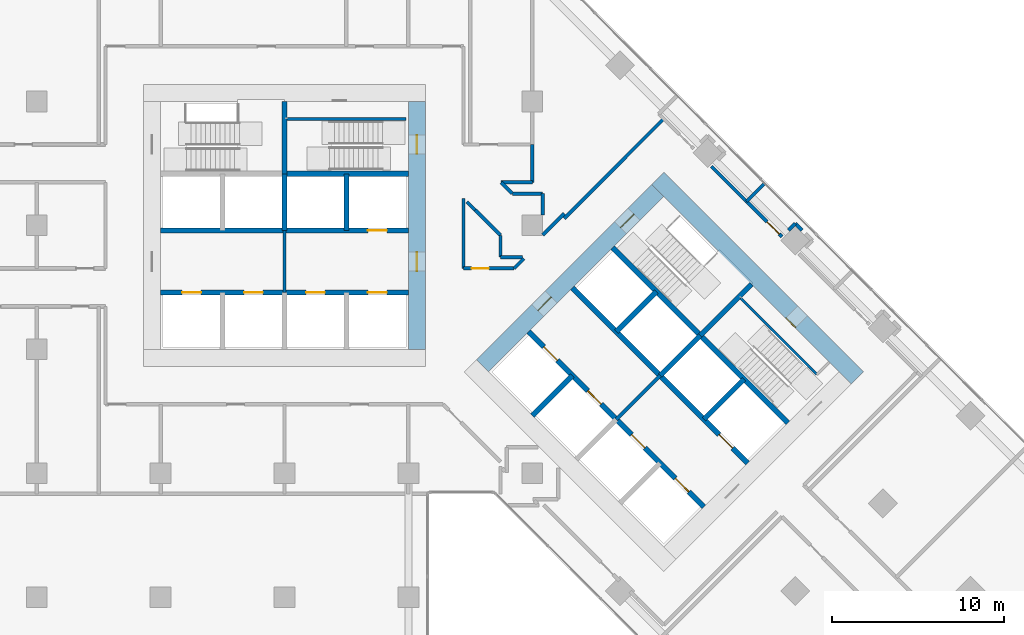
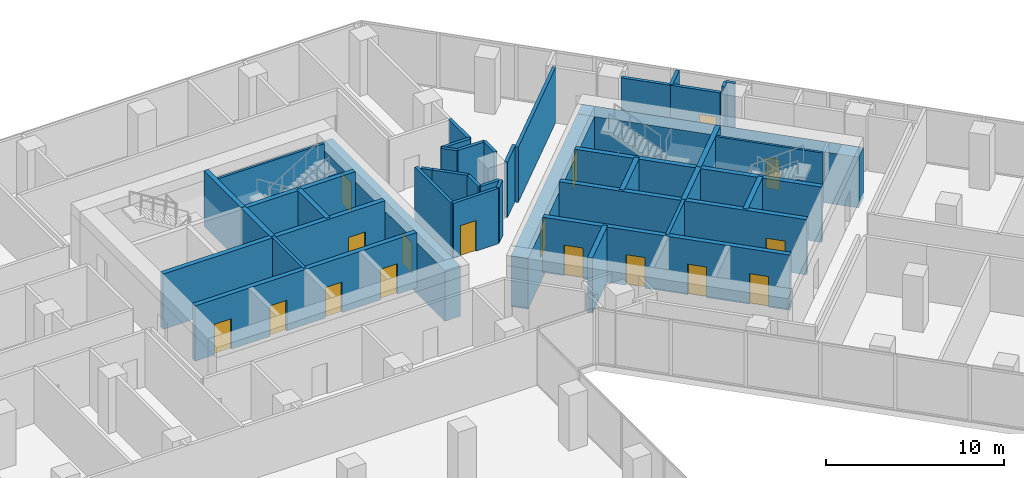
# One storey, part 22 of 27: 41 walls, 17 doors, 17 openings.
"""IFC4 building model written with IfcOpenShell, lengths in metres."""

from ifc_helpers import new_model, si_unit, direction, frame, frame_2d, origin, place, context, subcontext, project, spatial, rectangle, extrude, material, layer, layer_set, type_object, element, fill, save


model = new_model("IFC4")

# Units and contexts
model_context = context("Model", 3, precision=1e-05, world=origin(), true_north=direction((0.0, 1.0)))
body_context = subcontext(model_context, "Body", "Model", "MODEL_VIEW")
ifc_project = project(units=[si_unit("LENGTHUNIT", "METRE"), si_unit("AREAUNIT", "SQUARE_METRE"), si_unit("VOLUMEUNIT", "CUBIC_METRE"), si_unit("PLANEANGLEUNIT", "RADIAN"), si_unit("MASSUNIT", "GRAM", prefix="KILO")], contexts=[model_context])

# Site, building, storey
site_placement = place(None, origin())
site = spatial("IfcSite", under=ifc_project, at=site_placement, CompositionType="ELEMENT")
building_placement = place(site_placement, origin())
building = spatial("IfcBuilding", under=site, at=building_placement, Name="Windrow Commons", CompositionType="ELEMENT")
storey_placement = place(building_placement, frame((0.0, 0.0, 6.0)))
storey = spatial("IfcBuildingStorey", under=building, at=storey_placement, Name="L01", CompositionType="ELEMENT", Elevation=6.0)

# Walls
ifc_material_1 = material(Name="Blockwork partition", Category="masonry")
ifc_layer_1 = layer(ifc_material_1, 0.2)
ifc_layer_set_1 = layer_set([ifc_layer_1], Name="Fire lobby partition 200")
wall_type_1 = type_object("IfcWallType", Name="Fire lobby partition 200", PredefinedType="PARTITIONING", material=ifc_layer_set_1)
for number, where, z_axis, x_axis, name in (
    (1, (64.8, 53.7, 0.0), (0.0, 0.0, 1.0), (0.0, 1.0, 0.0), "W-core-lobby-A-L01"),
    (2, (84.079, 46.332, 0.0), (0.0, 0.0, 1.0), (0.7071067812, 0.7071067812, 0.0), "W-core-lobby-B-L01"),
):
    element("IfcWall", number, at=place(storey_placement, frame(where, z_axis=z_axis, x_axis=x_axis)), inside=storey, type_object=wall_type_1, Name=name, PredefinedType="PARTITIONING", context=body_context, shape_type="SweptSolid", body=[
        extrude(rectangle(XDim=3.6, YDim=0.2, at=frame_2d((1.8, 0.0))), origin(), (0.0, 0.0, 1.0), 3.8),
    ])
ifc_material_2 = material(Name="Blockwork partition", Category="masonry")
ifc_layer_2 = layer(ifc_material_2, 0.2)
ifc_layer_set_2 = layer_set([ifc_layer_2], Name="IW-CORRIDOR-200")
wall_type_2 = type_object("IfcWallType", Name="IW-CORRIDOR-200", PredefinedType="PARTITIONING", material=ifc_layer_set_2)
wall_1_placement = place(storey_placement, frame((81.0529, 58.0111, 0.0), z_axis=(0.0, 0.0, 1.0), x_axis=(0.7069845395, 0.7072290017, 0.0)))
element("IfcWall", 3, at=wall_1_placement, inside=storey, type_object=wall_type_2, Name="W-L01-W034", PredefinedType="PARTITIONING", context=body_context, shape_type="SweptSolid", body=[
    extrude(rectangle(XDim=8.1812, YDim=0.2, at=frame_2d((4.0906, 0.0))), origin(), (0.0, 0.0, 1.0), 3.8),
])
wall_2_placement = place(storey_placement, frame((75.2, 55.102, 0.0), z_axis=(0.0, 0.0, 1.0), x_axis=(0.0, 1.0, 0.0)))
element("IfcWall", 4, at=wall_2_placement, inside=storey, type_object=wall_type_2, Name="W-L01-W058", PredefinedType="PARTITIONING", context=body_context, shape_type="SweptSolid", body=[
    extrude(rectangle(XDim=4.066, YDim=0.2, at=frame_2d((2.033, 0.0))), origin(), (0.0, 0.0, 1.0), 3.8),
])

# Wall, opening, door
wall_3_placement = place(storey_placement, frame((75.202, 55.1, 0.0), z_axis=(0.0, 0.0, 1.0), x_axis=(1.0, 0.0, 0.0)))
wall_3 = element("IfcWall", 5, at=wall_3_placement, inside=storey, type_object=wall_type_2, Name="W-L01-W069", PredefinedType="PARTITIONING", context=body_context, shape_type="SweptSolid", body=[
    extrude(rectangle(XDim=2.936, YDim=0.2, at=frame_2d((1.468, 0.0))), origin(), (0.0, 0.0, 1.0), 3.8),
])
opening_1_placement = place(wall_3_placement, frame((0.4754, 0.0, 0.0)))
opening_1 = element("IfcOpeningElement", 6, at=opening_1_placement, cuts=wall_3, Name="Opening D310F", PredefinedType="OPENING", context=body_context, shape_type="SweptSolid", body=[
    extrude(rectangle(XDim=1.0, YDim=2.1, at=frame_2d((0.5, 1.05))), frame((0.0, 0.11, 0.0), z_axis=(0.0, -1.0, 0.0), x_axis=(1.0, 0.0, 0.0)), (0.0, 0.0, 1.0), 0.22),
])
ifc_material_3 = material(Name="Timber door leaf", Category="wood")
door_type_1 = type_object("IfcDoorType", Name="DT-AMENITY-1000", OperationType="SINGLE_SWING_LEFT", PredefinedType="DOOR", material=ifc_material_3)
door_1_placement = place(opening_1_placement, origin())
door_1 = element("IfcDoor", 7, at=door_1_placement, inside=storey, type_object=door_type_1, Name="D-L01-D014", OperationType="SINGLE_SWING_LEFT", OverallHeight=2.1, OverallWidth=1.0, PredefinedType="DOOR", context=body_context, shape_type="SweptSolid", body=[
    extrude(rectangle(XDim=1.0, YDim=2.1, at=frame_2d((0.5, 1.05))), frame((0.0, 0.025, 0.0), z_axis=(0.0, -1.0, 0.0), x_axis=(1.0, 0.0, 0.0)), (0.0, 0.0, 1.0), 0.05),
])
fill(opening_1, door_1)

# Wall
wall_4_placement = place(storey_placement, frame((89.5949, 61.0329, 0.0), z_axis=(0.0, 0.0, 1.0), x_axis=(0.7074521324, -0.7067612612, 0.0)))
element("IfcWall", 8, at=wall_4_placement, inside=storey, type_object=wall_type_2, Name="W-L01-W071", PredefinedType="PARTITIONING", context=body_context, shape_type="SweptSolid", body=[
    extrude(rectangle(XDim=2.8949, YDim=0.2, at=frame_2d((1.4474, 0.0))), origin(), (0.0, 0.0, 1.0), 3.8),
])

# Wall, opening, door
wall_5_placement = place(storey_placement, frame((91.6481, 58.9921, 0.0), z_axis=(0.0, 0.0, 1.0), x_axis=(0.7067612612, -0.7074521324, 0.0)))
wall_5 = element("IfcWall", 9, at=wall_5_placement, inside=storey, type_object=wall_type_2, Name="W-L01-W073", PredefinedType="PARTITIONING", context=body_context, shape_type="SweptSolid", body=[
    extrude(rectangle(XDim=2.8949, YDim=0.2, at=frame_2d((1.4474, 0.0))), origin(), (0.0, 0.0, 1.0), 3.8),
])
opening_2_placement = place(wall_5_placement, frame((1.6772, 0.0, 0.0)))
opening_2 = element("IfcOpeningElement", 10, at=opening_2_placement, cuts=wall_5, Name="Opening D310F", PredefinedType="OPENING", context=body_context, shape_type="SweptSolid", body=[
    extrude(rectangle(XDim=1.0, YDim=2.1, at=frame_2d((0.5, 1.05))), frame((0.0, 0.11, 0.0), z_axis=(0.0, -1.0, 0.0), x_axis=(1.0, 0.0, 0.0)), (0.0, 0.0, 1.0), 0.22),
])
door_2_placement = place(opening_2_placement, origin())
door_2 = element("IfcDoor", 11, at=door_2_placement, inside=storey, type_object=door_type_1, Name="D-L01-D041", OperationType="SINGLE_SWING_RIGHT", OverallHeight=2.1, OverallWidth=1.0, PredefinedType="DOOR", context=body_context, shape_type="SweptSolid", body=[
    extrude(rectangle(XDim=1.0, YDim=2.1, at=frame_2d((0.5, 1.05))), frame((0.0, 0.025, 0.0), z_axis=(0.0, -1.0, 0.0), x_axis=(1.0, 0.0, 0.0)), (0.0, 0.0, 1.0), 0.05),
])
fill(opening_2, door_2)

# Walls
wall_6_placement = place(storey_placement, frame((79.2, 60.1, 0.0), z_axis=(0.0, 0.0, 1.0), x_axis=(0.0, 1.0, 0.0)))
element("IfcWall", 12, at=wall_6_placement, inside=storey, type_object=wall_type_2, Name="W-L01-W081", PredefinedType="PARTITIONING", context=body_context, shape_type="SweptSolid", body=[
    extrude(rectangle(XDim=2.2, YDim=0.2, at=frame_2d((1.1, 0.0))), origin(), (0.0, 0.0, 1.0), 3.8),
])
wall_7_placement = place(storey_placement, frame((75.8791, 58.4971, 0.0), z_axis=(0.0, 0.0, 1.0), x_axis=(0.7075866635, -0.706626573, 0.0)))
element("IfcWall", 13, at=wall_7_placement, inside=storey, type_object=wall_type_2, Name="W-L01-W084", PredefinedType="PARTITIONING", context=body_context, shape_type="SweptSolid", body=[
    extrude(rectangle(XDim=2.0831, YDim=0.2, at=frame_2d((1.0415, 0.0))), origin(), (0.0, 0.0, 1.0), 3.8),
])
wall_8_placement = place(storey_placement, frame((77.384, 60.1, 0.0), z_axis=(0.0, 0.0, 1.0), x_axis=(1.0, 0.0, 0.0)))
element("IfcWall", 14, at=wall_8_placement, inside=storey, type_object=wall_type_2, Name="W-L01-W100", PredefinedType="PARTITIONING", context=body_context, shape_type="SweptSolid", body=[
    extrude(rectangle(XDim=1.816, YDim=0.2, at=frame_2d((0.908, 0.0))), origin(), (0.0, 0.0, 1.0), 3.8),
])
wall_9_placement = place(storey_placement, frame((78.032, 59.45, 0.0), z_axis=(0.0, 0.0, 1.0), x_axis=(1.0, 0.0, 0.0)))
element("IfcWall", 15, at=wall_9_placement, inside=storey, type_object=wall_type_2, Name="W-L01-W104", PredefinedType="PARTITIONING", context=body_context, shape_type="SweptSolid", body=[
    extrude(rectangle(XDim=1.768, YDim=0.2, at=frame_2d((0.884, 0.0))), origin(), (0.0, 0.0, 1.0), 3.8),
])
wall_10_placement = place(storey_placement, frame((79.8013, 57.0467, 0.0), z_axis=(0.0, 0.0, 1.0), x_axis=(0.7071067812, 0.7071067812, 0.0)))
element("IfcWall", 16, at=wall_10_placement, inside=storey, type_object=wall_type_2, Name="W-L01-W105", PredefinedType="PARTITIONING", context=body_context, shape_type="SweptSolid", body=[
    extrude(rectangle(XDim=1.7649, YDim=0.2, at=frame_2d((0.8824, 0.0))), origin(), (0.0, 0.0, 1.0), 3.8),
])
for number, where, z_axis, x_axis, name in (
    (17, (77.35, 55.75, 0.0), (0.0, 0.0, 1.0), (1.0, 0.0, 0.0), "W-L01-W115"),
    (18, (77.35, 55.75, 0.0), (0.0, 0.0, 1.0), (0.0, 1.0, 0.0), "W-L01-W116"),
):
    element("IfcWall", number, at=place(storey_placement, frame(where, z_axis=z_axis, x_axis=x_axis)), inside=storey, type_object=wall_type_2, Name=name, PredefinedType="PARTITIONING", context=body_context, shape_type="SweptSolid", body=[
        extrude(rectangle(XDim=1.27, YDim=0.2, at=frame_2d((0.635, 0.0))), origin(), (0.0, 0.0, 1.0), 3.8),
    ])
wall_11_placement = place(storey_placement, frame((79.8, 58.2, 0.0), z_axis=(0.0, 0.0, 1.0), x_axis=(0.0, 1.0, 0.0)))
element("IfcWall", 19, at=wall_11_placement, inside=storey, type_object=wall_type_2, Name="W-L01-W117", PredefinedType="PARTITIONING", context=body_context, shape_type="SweptSolid", body=[
    extrude(rectangle(XDim=1.25, YDim=0.2, at=frame_2d((0.625, 0.0))), origin(), (0.0, 0.0, 1.0), 3.8),
])
wall_12_placement = place(storey_placement, frame((77.3809, 60.0949, 0.0), z_axis=(0.0, 0.0, 1.0), x_axis=(0.7071067812, -0.7071067812, 0.0)))
element("IfcWall", 20, at=wall_12_placement, inside=storey, type_object=wall_type_2, Name="W-L01-W118", PredefinedType="PARTITIONING", context=body_context, shape_type="SweptSolid", body=[
    extrude(rectangle(XDim=0.9164, YDim=0.2, at=frame_2d((0.4582, 0.0))), origin(), (0.0, 0.0, 1.0), 3.8),
])
wall_13_placement = place(storey_placement, frame((78.1388, 55.1012, 0.0), z_axis=(0.0, 0.0, 1.0), x_axis=(0.7071067812, 0.7071067812, 0.0)))
element("IfcWall", 21, at=wall_13_placement, inside=storey, type_object=wall_type_2, Name="W-L01-W119", PredefinedType="PARTITIONING", context=body_context, shape_type="SweptSolid", body=[
    extrude(rectangle(XDim=0.8004, YDim=0.2, at=frame_2d((0.4002, 0.0))), origin(), (0.0, 0.0, 1.0), 3.8),
])
wall_14_placement = place(storey_placement, frame((75.3972, 58.9672, 0.0), z_axis=(0.0, 0.0, 1.0), x_axis=(0.7071067812, -0.7071067812, 0.0)))
element("IfcWall", 22, at=wall_14_placement, inside=storey, type_object=wall_type_2, Name="W-L01-W121", PredefinedType="PARTITIONING", context=body_context, shape_type="SweptSolid", body=[
    extrude(rectangle(XDim=0.6732, YDim=0.2, at=frame_2d((0.3366, 0.0))), origin(), (0.0, 0.0, 1.0), 3.8),
])
ifc_material_4 = material(Name="Blockwork partition", Category="masonry")
ifc_layer_3 = layer(ifc_material_4, 0.2)
ifc_layer_set_3 = layer_set([ifc_layer_3], Name="IW-PARTY-200")
wall_type_3 = type_object("IfcWallType", Name="IW-PARTY-200", PredefinedType="PARTITIONING", material=ifc_layer_set_3)
wall_15_placement = place(storey_placement, frame((91.6451, 58.9909, 0.0), z_axis=(0.0, 0.0, 1.0), x_axis=(0.7071067812, 0.7071067812, 0.0)))
element("IfcWall", 23, at=wall_15_placement, inside=storey, type_object=wall_type_3, Name="W-L01-W112", PredefinedType="PARTITIONING", context=body_context, shape_type="SweptSolid", body=[
    extrude(rectangle(XDim=1.468, YDim=0.2, at=frame_2d((0.734, 0.0))), origin(), (0.0, 0.0, 1.0), 3.8),
])
wall_16_placement = place(storey_placement, frame((94.0787, 57.3233, 0.0), z_axis=(0.0, 0.0, 1.0), x_axis=(0.7071067812, 0.7071067812, 0.0)))
element("IfcWall", 24, at=wall_16_placement, inside=storey, type_object=wall_type_3, Name="W-L01-W135", PredefinedType="PARTITIONING", context=body_context, shape_type="SweptSolid", body=[
    extrude(rectangle(XDim=0.5572, YDim=0.2, at=frame_2d((0.2786, 0.0))), origin(), (0.0, 0.0, 1.0), 3.8),
])
wall_17_placement = place(storey_placement, frame((94.4697, 57.7197, 0.0), z_axis=(0.0, 0.0, 1.0), x_axis=(0.705305244, -0.7089037401, 0.0)))
element("IfcWall", 25, at=wall_17_placement, inside=storey, type_object=wall_type_3, Name="W-L01-W136", PredefinedType="PARTITIONING", context=body_context, shape_type="SweptSolid", body=[
    extrude(rectangle(XDim=0.5558, YDim=0.2, at=frame_2d((0.2779, 0.0))), origin(), (0.0, 0.0, 1.0), 3.8),
])

# Wall, openings, doors
ifc_material_5 = material(Name="Concrete C60/75", Category="concrete")
ifc_layer_4 = layer(ifc_material_5, 1.0)
ifc_layer_set_4 = layer_set([ifc_layer_4], Name="RC CORE WALL 1000 C60/75")
wall_type_4 = type_object("IfcWallType", Name="RC CORE WALL 1000 C60/75", PredefinedType="SHEAR", material=ifc_layer_set_4)
wall_18_placement = place(storey_placement, frame((72.5, 50.4, -0.4), z_axis=(0.0, 0.0, 1.0), x_axis=(0.0, 1.0, 0.0)))
wall_18 = element("IfcWall", 26, at=wall_18_placement, inside=storey, type_object=wall_type_4, Name="Core A wall outer-E", PredefinedType="SHEAR", context=body_context, shape_type="SweptSolid", body=[
    extrude(rectangle(XDim=14.4, YDim=1.0, at=frame_2d((7.2, 0.0))), origin(), (0.0, 0.0, 1.0), 3.5),
])
opening_3_placement = place(wall_18_placement, frame((4.55, 0.0, 0.4)))
opening_3 = element("IfcOpeningElement", 27, at=opening_3_placement, cuts=wall_18, Name="Opening D6", PredefinedType="OPENING", context=body_context, shape_type="SweptSolid", body=[
    extrude(rectangle(XDim=1.1, YDim=2.1, at=frame_2d((0.55, 1.05))), frame((0.0, 0.51, 0.0), z_axis=(0.0, -1.0, 0.0), x_axis=(1.0, 0.0, 0.0)), (0.0, 0.0, 1.0), 1.02),
])
opening_4_placement = place(wall_18_placement, frame((11.35, 0.0, 0.4)))
opening_4 = element("IfcOpeningElement", 28, at=opening_4_placement, cuts=wall_18, Name="Opening D7", PredefinedType="OPENING", context=body_context, shape_type="SweptSolid", body=[
    extrude(rectangle(XDim=1.1, YDim=2.1, at=frame_2d((0.55, 1.05))), frame((0.0, 0.51, 0.0), z_axis=(0.0, -1.0, 0.0), x_axis=(1.0, 0.0, 0.0)), (0.0, 0.0, 1.0), 1.02),
])
ifc_material_6 = material(Name="Steel fire door leaf", Category="steel")
door_type_2 = type_object("IfcDoorType", Name="Core lobby door 1100", OperationType="SINGLE_SWING_LEFT", PredefinedType="DOOR", material=ifc_material_6)
door_3_placement = place(opening_3_placement, origin())
door_3 = element("IfcDoor", 29, at=door_3_placement, inside=storey, type_object=door_type_2, Name="Lift lobby door", OperationType="DOUBLE_DOOR_SINGLE_SWING", OverallHeight=2.1, OverallWidth=1.1, PredefinedType="DOOR", context=body_context, shape_type="SweptSolid", body=[
    extrude(rectangle(XDim=1.1, YDim=2.1, at=frame_2d((0.55, 1.05))), frame((0.0, 0.025, 0.0), z_axis=(0.0, -1.0, 0.0), x_axis=(1.0, 0.0, 0.0)), (0.0, 0.0, 1.0), 0.05),
])
fill(opening_3, door_3)
ifc_material_7 = material(Name="Steel fire door leaf", Category="steel")
door_type_3 = type_object("IfcDoorType", Name="Stair door 1100", OperationType="SINGLE_SWING_LEFT", PredefinedType="DOOR", material=ifc_material_7)
door_4_placement = place(opening_4_placement, origin())
door_4 = element("IfcDoor", 30, at=door_4_placement, inside=storey, type_object=door_type_3, Name="Stair door", OperationType="SINGLE_SWING_RIGHT", OverallHeight=2.1, OverallWidth=1.1, PredefinedType="DOOR", context=body_context, shape_type="SweptSolid", body=[
    extrude(rectangle(XDim=1.1, YDim=2.1, at=frame_2d((0.55, 1.05))), frame((0.0, 0.025, 0.0), z_axis=(0.0, -1.0, 0.0), x_axis=(1.0, 0.0, 0.0)), (0.0, 0.0, 1.0), 0.05),
])
fill(opening_4, door_4)

# Wall, opening, door
wall_19_placement = place(storey_placement, frame((86.4832, 60.3327, -0.4), z_axis=(0.0, 0.0, 1.0), x_axis=(0.70710983, -0.7071037324, 0.0)))
wall_19 = element("IfcWall", 31, at=wall_19_placement, inside=storey, type_object=wall_type_4, Name="Core B wall outer-N", PredefinedType="SHEAR", context=body_context, shape_type="SweptSolid", body=[
    extrude(rectangle(XDim=16.4, YDim=1.0, at=frame_2d((8.2, 0.0))), origin(), (0.0, 0.0, 1.0), 3.5),
])
opening_5_placement = place(wall_19_placement, frame((11.0, 0.0, 0.4)))
opening_5 = element("IfcOpeningElement", 32, at=opening_5_placement, cuts=wall_19, Name="Opening D9", PredefinedType="OPENING", context=body_context, shape_type="SweptSolid", body=[
    extrude(rectangle(XDim=0.8, YDim=2.1, at=frame_2d((0.4, 1.05))), frame((0.0, 0.51, 0.0), z_axis=(0.0, -1.0, 0.0), x_axis=(1.0, 0.0, 0.0)), (0.0, 0.0, 1.0), 1.02),
])
ifc_material_8 = material(Name="Steel fire door leaf", Category="steel")
door_type_4 = type_object("IfcDoorType", Name="Riser access door 800", OperationType="SINGLE_SWING_LEFT", PredefinedType="DOOR", material=ifc_material_8)
door_5_placement = place(opening_5_placement, origin())
door_5 = element("IfcDoor", 33, at=door_5_placement, inside=storey, type_object=door_type_4, Name="Riser access door", OperationType="SINGLE_SWING_RIGHT", OverallHeight=2.1, OverallWidth=0.8, PredefinedType="DOOR", context=body_context, shape_type="SweptSolid", body=[
    extrude(rectangle(XDim=0.8, YDim=2.1, at=frame_2d((0.4, 1.05))), frame((0.0, -0.44, 0.0), z_axis=(0.0, -1.0, 0.0), x_axis=(1.0, 0.0, 0.0)), (0.0, 0.0, 1.0), 0.05),
])
fill(opening_5, door_5)

# Wall, openings, doors
wall_20_placement = place(storey_placement, frame((76.3009, 49.4433, -0.4), z_axis=(0.0, 0.0, 1.0), x_axis=(0.7071067812, 0.7071067812, 0.0)))
wall_20 = element("IfcWall", 34, at=wall_20_placement, inside=storey, type_object=wall_type_4, Name="Core B wall outer-W", PredefinedType="SHEAR", context=body_context, shape_type="SweptSolid", body=[
    extrude(rectangle(XDim=14.3999, YDim=1.0, at=frame_2d((7.2, 0.0))), origin(), (0.0, 0.0, 1.0), 3.5),
])
opening_6_placement = place(wall_20_placement, frame((4.55, 0.0, 0.4)))
opening_6 = element("IfcOpeningElement", 35, at=opening_6_placement, cuts=wall_20, Name="Opening D6", PredefinedType="OPENING", context=body_context, shape_type="SweptSolid", body=[
    extrude(rectangle(XDim=1.1, YDim=2.1, at=frame_2d((0.55, 1.05))), frame((0.0, 0.51, 0.0), z_axis=(0.0, -1.0, 0.0), x_axis=(1.0, 0.0, 0.0)), (0.0, 0.0, 1.0), 1.02),
])
opening_7_placement = place(wall_20_placement, frame((11.35, 0.0, 0.4)))
opening_7 = element("IfcOpeningElement", 36, at=opening_7_placement, cuts=wall_20, Name="Opening D7", PredefinedType="OPENING", context=body_context, shape_type="SweptSolid", body=[
    extrude(rectangle(XDim=1.1, YDim=2.1, at=frame_2d((0.55, 1.05))), frame((0.0, 0.51, 0.0), z_axis=(0.0, -1.0, 0.0), x_axis=(1.0, 0.0, 0.0)), (0.0, 0.0, 1.0), 1.02),
])
door_6_placement = place(opening_6_placement, origin())
door_6 = element("IfcDoor", 37, at=door_6_placement, inside=storey, type_object=door_type_2, Name="Lift lobby door", OperationType="DOUBLE_DOOR_SINGLE_SWING", OverallHeight=2.1, OverallWidth=1.1, PredefinedType="DOOR", context=body_context, shape_type="SweptSolid", body=[
    extrude(rectangle(XDim=1.1, YDim=2.1, at=frame_2d((0.55, 1.05))), frame((0.0, 0.025, 0.0), z_axis=(0.0, -1.0, 0.0), x_axis=(1.0, 0.0, 0.0)), (0.0, 0.0, 1.0), 0.05),
])
fill(opening_6, door_6)
door_7_placement = place(opening_7_placement, origin())
door_7 = element("IfcDoor", 38, at=door_7_placement, inside=storey, type_object=door_type_3, Name="Stair door", OperationType="SINGLE_SWING_LEFT", OverallHeight=2.1, OverallWidth=1.1, PredefinedType="DOOR", context=body_context, shape_type="SweptSolid", body=[
    extrude(rectangle(XDim=1.1, YDim=2.1, at=frame_2d((0.55, 1.05))), frame((0.0, 0.025, 0.0), z_axis=(0.0, -1.0, 0.0), x_axis=(1.0, 0.0, 0.0)), (0.0, 0.0, 1.0), 0.05),
])
fill(opening_7, door_7)

# Walls
ifc_material_9 = material(Name="Concrete C60/75", Category="concrete")
ifc_layer_5 = layer(ifc_material_9, 0.3)
ifc_layer_set_5 = layer_set([ifc_layer_5], Name="RC SHAFT WALL 300 C60/75")
wall_type_5 = type_object("IfcWallType", Name="RC SHAFT WALL 300 C60/75", PredefinedType="SOLIDWALL", material=ifc_layer_set_5)
for number, where, z_axis, x_axis, name in (
    (39, (64.8, 57.3, 0.0), (0.0, 0.0, 1.0), (0.0, 1.0, 0.0), "Core A wall shaft-N2"),
    (40, (68.4, 57.3, 0.0), (0.0, 0.0, 1.0), (0.0, 1.0, 0.0), "Core A wall shaft-N3"),
):
    element("IfcWall", number, at=place(storey_placement, frame(where, z_axis=z_axis, x_axis=x_axis)), inside=storey, type_object=wall_type_5, Name=name, PredefinedType="SOLIDWALL", context=body_context, shape_type="SweptSolid", body=[
        extrude(rectangle(XDim=3.3, YDim=0.3, at=frame_2d((1.65, 0.0))), origin(), (0.0, 0.0, 1.0), 3.8),
    ])

# Wall, openings, doors
wall_21_placement = place(storey_placement, frame((57.6, 53.7, 0.0), z_axis=(0.0, 0.0, 1.0), x_axis=(1.0, 0.0, 0.0)))
wall_21 = element("IfcWall", 41, at=wall_21_placement, inside=storey, type_object=wall_type_5, Name="Core A wall lobby-S", PredefinedType="SOLIDWALL", context=body_context, shape_type="SweptSolid", body=[
    extrude(rectangle(XDim=14.4, YDim=0.3, at=frame_2d((7.2, 0.0))), origin(), (0.0, 0.0, 1.0), 3.8),
])
opening_8_placement = place(wall_21_placement, frame((1.25, 0.0, 0.0)))
opening_8 = element("IfcOpeningElement", 42, at=opening_8_placement, cuts=wall_21, Name="Opening LD", PredefinedType="OPENING", context=body_context, shape_type="SweptSolid", body=[
    extrude(rectangle(XDim=1.1, YDim=2.1, at=frame_2d((0.55, 1.05))), frame((0.0, 0.16, 0.0), z_axis=(0.0, -1.0, 0.0), x_axis=(1.0, 0.0, 0.0)), (0.0, 0.0, 1.0), 0.32),
])
opening_9_placement = place(wall_21_placement, frame((4.85, 0.0, 0.0)))
opening_9 = element("IfcOpeningElement", 43, at=opening_9_placement, cuts=wall_21, Name="Opening LD", PredefinedType="OPENING", context=body_context, shape_type="SweptSolid", body=[
    extrude(rectangle(XDim=1.1, YDim=2.1, at=frame_2d((0.55, 1.05))), frame((0.0, 0.16, 0.0), z_axis=(0.0, -1.0, 0.0), x_axis=(1.0, 0.0, 0.0)), (0.0, 0.0, 1.0), 0.32),
])
opening_10_placement = place(wall_21_placement, frame((8.45, 0.0, 0.0)))
opening_10 = element("IfcOpeningElement", 44, at=opening_10_placement, cuts=wall_21, Name="Opening LD", PredefinedType="OPENING", context=body_context, shape_type="SweptSolid", body=[
    extrude(rectangle(XDim=1.1, YDim=2.1, at=frame_2d((0.55, 1.05))), frame((0.0, 0.16, 0.0), z_axis=(0.0, -1.0, 0.0), x_axis=(1.0, 0.0, 0.0)), (0.0, 0.0, 1.0), 0.32),
])
opening_11_placement = place(wall_21_placement, frame((12.05, 0.0, 0.0)))
opening_11 = element("IfcOpeningElement", 45, at=opening_11_placement, cuts=wall_21, Name="Opening LD", PredefinedType="OPENING", context=body_context, shape_type="SweptSolid", body=[
    extrude(rectangle(XDim=1.1, YDim=2.1, at=frame_2d((0.55, 1.05))), frame((0.0, 0.16, 0.0), z_axis=(0.0, -1.0, 0.0), x_axis=(1.0, 0.0, 0.0)), (0.0, 0.0, 1.0), 0.32),
])
ifc_material_10 = material(Name="Stainless steel door leaf", Category="steel")
door_type_5 = type_object("IfcDoorType", Name="Lift landing door 1100", OperationType="SLIDING_TO_LEFT", PredefinedType="DOOR", material=ifc_material_10)
door_8_placement = place(opening_8_placement, origin())
door_8 = element("IfcDoor", 46, at=door_8_placement, inside=storey, type_object=door_type_5, Name="Lift landing door", OperationType="SLIDING_TO_LEFT", OverallHeight=2.1, OverallWidth=1.1, PredefinedType="DOOR", context=body_context, shape_type="SweptSolid", body=[
    extrude(rectangle(XDim=1.1, YDim=2.1, at=frame_2d((0.55, 1.05))), frame((0.0, 0.025, 0.0), z_axis=(0.0, -1.0, 0.0), x_axis=(1.0, 0.0, 0.0)), (0.0, 0.0, 1.0), 0.05),
])
fill(opening_8, door_8)
door_9_placement = place(opening_9_placement, origin())
door_9 = element("IfcDoor", 47, at=door_9_placement, inside=storey, type_object=door_type_5, Name="Lift landing door", OperationType="SLIDING_TO_RIGHT", OverallHeight=2.1, OverallWidth=1.1, PredefinedType="DOOR", context=body_context, shape_type="SweptSolid", body=[
    extrude(rectangle(XDim=1.1, YDim=2.1, at=frame_2d((0.55, 1.05))), frame((0.0, 0.025, 0.0), z_axis=(0.0, -1.0, 0.0), x_axis=(1.0, 0.0, 0.0)), (0.0, 0.0, 1.0), 0.05),
])
fill(opening_9, door_9)
door_10_placement = place(opening_10_placement, origin())
door_10 = element("IfcDoor", 48, at=door_10_placement, inside=storey, type_object=door_type_5, Name="Lift landing door", OperationType="SLIDING_TO_LEFT", OverallHeight=2.1, OverallWidth=1.1, PredefinedType="DOOR", context=body_context, shape_type="SweptSolid", body=[
    extrude(rectangle(XDim=1.1, YDim=2.1, at=frame_2d((0.55, 1.05))), frame((0.0, 0.025, 0.0), z_axis=(0.0, -1.0, 0.0), x_axis=(1.0, 0.0, 0.0)), (0.0, 0.0, 1.0), 0.05),
])
fill(opening_10, door_10)
door_11_placement = place(opening_11_placement, origin())
door_11 = element("IfcDoor", 49, at=door_11_placement, inside=storey, type_object=door_type_5, Name="Lift landing door", OperationType="SLIDING_TO_RIGHT", OverallHeight=2.1, OverallWidth=1.1, PredefinedType="DOOR", context=body_context, shape_type="SweptSolid", body=[
    extrude(rectangle(XDim=1.1, YDim=2.1, at=frame_2d((0.55, 1.05))), frame((0.0, 0.025, 0.0), z_axis=(0.0, -1.0, 0.0), x_axis=(1.0, 0.0, 0.0)), (0.0, 0.0, 1.0), 0.05),
])
fill(opening_11, door_11)

# Wall, opening, door
wall_22_placement = place(storey_placement, frame((57.6, 57.3, 0.0), z_axis=(0.0, 0.0, 1.0), x_axis=(1.0, 0.0, 0.0)))
wall_22 = element("IfcWall", 50, at=wall_22_placement, inside=storey, type_object=wall_type_5, Name="Core A wall lobby-N", PredefinedType="SOLIDWALL", context=body_context, shape_type="SweptSolid", body=[
    extrude(rectangle(XDim=14.4, YDim=0.3, at=frame_2d((7.2, 0.0))), origin(), (0.0, 0.0, 1.0), 3.8),
])
opening_12_placement = place(wall_22_placement, frame((12.05, 0.0, 0.0)))
opening_12 = element("IfcOpeningElement", 51, at=opening_12_placement, cuts=wall_22, Name="Opening LD", PredefinedType="OPENING", context=body_context, shape_type="SweptSolid", body=[
    extrude(rectangle(XDim=1.1, YDim=2.1, at=frame_2d((0.55, 1.05))), frame((0.0, 0.16, 0.0), z_axis=(0.0, -1.0, 0.0), x_axis=(1.0, 0.0, 0.0)), (0.0, 0.0, 1.0), 0.32),
])
door_12_placement = place(opening_12_placement, origin())
door_12 = element("IfcDoor", 52, at=door_12_placement, inside=storey, type_object=door_type_5, Name="Lift landing door", OperationType="SLIDING_TO_RIGHT", OverallHeight=2.1, OverallWidth=1.1, PredefinedType="DOOR", context=body_context, shape_type="SweptSolid", body=[
    extrude(rectangle(XDim=1.1, YDim=2.1, at=frame_2d((0.55, 1.05))), frame((0.0, 0.025, 0.0), z_axis=(0.0, -1.0, 0.0), x_axis=(1.0, 0.0, 0.0)), (0.0, 0.0, 1.0), 0.05),
])
fill(opening_12, door_12)

# Walls
wall_23_placement = place(storey_placement, frame((64.8, 60.6, 0.0), z_axis=(0.0, 0.0, 1.0), x_axis=(1.0, 0.0, 0.0)))
element("IfcWall", 53, at=wall_23_placement, inside=storey, type_object=wall_type_5, Name="Core A wall stair-S2", PredefinedType="SOLIDWALL", context=body_context, shape_type="SweptSolid", body=[
    extrude(rectangle(XDim=7.2, YDim=0.3, at=frame_2d((3.6, 0.0))), origin(), (0.0, 0.0, 1.0), 3.8),
])
wall_24_placement = place(storey_placement, frame((64.8, 60.6, 0.0), z_axis=(0.0, 0.0, 1.0), x_axis=(0.0, 1.0, 0.0)))
element("IfcWall", 54, at=wall_24_placement, inside=storey, type_object=wall_type_5, Name="Core A wall stair-mid", PredefinedType="SOLIDWALL", context=body_context, shape_type="SweptSolid", body=[
    extrude(rectangle(XDim=4.2, YDim=0.3, at=frame_2d((2.1, 0.0))), origin(), (0.0, 0.0, 1.0), 3.8),
])
for number, where, z_axis, x_axis, name in (
    (55, (79.2, 46.5442, 0.0), (0.0, 0.0, 1.0), (0.7071219326, 0.7070916295, 0.0), "Core B wall shaft-S1"),
    (56, (84.079, 51.4232, 0.0), (0.0, 0.0, 1.0), (0.7071219326, 0.7070916295, 0.0), "Core B wall shaft-N1"),
):
    element("IfcWall", number, at=place(storey_placement, frame(where, z_axis=z_axis, x_axis=x_axis)), inside=storey, type_object=wall_type_5, Name=name, PredefinedType="SOLIDWALL", context=body_context, shape_type="SweptSolid", body=[
        extrude(rectangle(XDim=3.3, YDim=0.3, at=frame_2d((1.65, 0.0))), origin(), (0.0, 0.0, 1.0), 3.8),
    ])
for number, where, z_axis, x_axis, name in (
    (57, (86.6246, 48.8776, 0.0), (0.0, 0.0, 1.0), (0.7071067812, 0.7071067812, 0.0), "Core B wall shaft-N2"),
    (58, (89.1702, 46.332, 0.0), (0.0, 0.0, 1.0), (0.7071067812, 0.7071067812, 0.0), "Core B wall shaft-N3"),
):
    element("IfcWall", number, at=place(storey_placement, frame(where, z_axis=z_axis, x_axis=x_axis)), inside=storey, type_object=wall_type_5, Name=name, PredefinedType="SOLIDWALL", context=body_context, shape_type="SweptSolid", body=[
        extrude(rectangle(XDim=3.3001, YDim=0.3, at=frame_2d((1.6501, 0.0))), origin(), (0.0, 0.0, 1.0), 3.8),
    ])

# Wall, openings, doors
wall_25_placement = place(storey_placement, frame((78.9879, 51.4232, 0.0), z_axis=(0.0, 0.0, 1.0), x_axis=(0.7071067812, -0.7071067812, 0.0)))
wall_25 = element("IfcWall", 59, at=wall_25_placement, inside=storey, type_object=wall_type_5, Name="Core B wall lobby-S", PredefinedType="SOLIDWALL", context=body_context, shape_type="SweptSolid", body=[
    extrude(rectangle(XDim=14.3999, YDim=0.3, at=frame_2d((7.2, 0.0))), origin(), (0.0, 0.0, 1.0), 3.8),
])
opening_13_placement = place(wall_25_placement, frame((1.25, 0.0, 0.0)))
opening_13 = element("IfcOpeningElement", 60, at=opening_13_placement, cuts=wall_25, Name="Opening LD", PredefinedType="OPENING", context=body_context, shape_type="SweptSolid", body=[
    extrude(rectangle(XDim=1.1, YDim=2.1, at=frame_2d((0.55, 1.05))), frame((0.0, 0.16, 0.0), z_axis=(0.0, -1.0, 0.0), x_axis=(1.0, 0.0, 0.0)), (0.0, 0.0, 1.0), 0.32),
])
opening_14_placement = place(wall_25_placement, frame((4.85, 0.0, 0.0)))
opening_14 = element("IfcOpeningElement", 61, at=opening_14_placement, cuts=wall_25, Name="Opening LD", PredefinedType="OPENING", context=body_context, shape_type="SweptSolid", body=[
    extrude(rectangle(XDim=1.1, YDim=2.1, at=frame_2d((0.55, 1.05))), frame((0.0, 0.16, 0.0), z_axis=(0.0, -1.0, 0.0), x_axis=(1.0, 0.0, 0.0)), (0.0, 0.0, 1.0), 0.32),
])
opening_15_placement = place(wall_25_placement, frame((8.45, 0.0, 0.0)))
opening_15 = element("IfcOpeningElement", 62, at=opening_15_placement, cuts=wall_25, Name="Opening LD", PredefinedType="OPENING", context=body_context, shape_type="SweptSolid", body=[
    extrude(rectangle(XDim=1.1, YDim=2.1, at=frame_2d((0.55, 1.05))), frame((0.0, 0.16, 0.0), z_axis=(0.0, -1.0, 0.0), x_axis=(1.0, 0.0, 0.0)), (0.0, 0.0, 1.0), 0.32),
])
opening_16_placement = place(wall_25_placement, frame((12.05, 0.0, 0.0)))
opening_16 = element("IfcOpeningElement", 63, at=opening_16_placement, cuts=wall_25, Name="Opening LD", PredefinedType="OPENING", context=body_context, shape_type="SweptSolid", body=[
    extrude(rectangle(XDim=1.1, YDim=2.1, at=frame_2d((0.55, 1.05))), frame((0.0, 0.16, 0.0), z_axis=(0.0, -1.0, 0.0), x_axis=(1.0, 0.0, 0.0)), (0.0, 0.0, 1.0), 0.32),
])
door_13_placement = place(opening_13_placement, origin())
door_13 = element("IfcDoor", 64, at=door_13_placement, inside=storey, type_object=door_type_5, Name="Lift landing door", OperationType="SLIDING_TO_LEFT", OverallHeight=2.1, OverallWidth=1.1, PredefinedType="DOOR", context=body_context, shape_type="SweptSolid", body=[
    extrude(rectangle(XDim=1.1, YDim=2.1, at=frame_2d((0.55, 1.05))), frame((0.0, 0.025, 0.0), z_axis=(0.0, -1.0, 0.0), x_axis=(1.0, 0.0, 0.0)), (0.0, 0.0, 1.0), 0.05),
])
fill(opening_13, door_13)
door_14_placement = place(opening_14_placement, origin())
door_14 = element("IfcDoor", 65, at=door_14_placement, inside=storey, type_object=door_type_5, Name="Lift landing door", OperationType="SLIDING_TO_RIGHT", OverallHeight=2.1, OverallWidth=1.1, PredefinedType="DOOR", context=body_context, shape_type="SweptSolid", body=[
    extrude(rectangle(XDim=1.1, YDim=2.1, at=frame_2d((0.55, 1.05))), frame((0.0, 0.025, 0.0), z_axis=(0.0, -1.0, 0.0), x_axis=(1.0, 0.0, 0.0)), (0.0, 0.0, 1.0), 0.05),
])
fill(opening_14, door_14)
door_15_placement = place(opening_15_placement, origin())
door_15 = element("IfcDoor", 66, at=door_15_placement, inside=storey, type_object=door_type_5, Name="Lift landing door", OperationType="SLIDING_TO_LEFT", OverallHeight=2.1, OverallWidth=1.1, PredefinedType="DOOR", context=body_context, shape_type="SweptSolid", body=[
    extrude(rectangle(XDim=1.1, YDim=2.1, at=frame_2d((0.55, 1.05))), frame((0.0, 0.025, 0.0), z_axis=(0.0, -1.0, 0.0), x_axis=(1.0, 0.0, 0.0)), (0.0, 0.0, 1.0), 0.05),
])
fill(opening_15, door_15)
door_16_placement = place(opening_16_placement, origin())
door_16 = element("IfcDoor", 67, at=door_16_placement, inside=storey, type_object=door_type_5, Name="Lift landing door", OperationType="SLIDING_TO_RIGHT", OverallHeight=2.1, OverallWidth=1.1, PredefinedType="DOOR", context=body_context, shape_type="SweptSolid", body=[
    extrude(rectangle(XDim=1.1, YDim=2.1, at=frame_2d((0.55, 1.05))), frame((0.0, 0.025, 0.0), z_axis=(0.0, -1.0, 0.0), x_axis=(1.0, 0.0, 0.0)), (0.0, 0.0, 1.0), 0.05),
])
fill(opening_16, door_16)

# Wall, opening, door
wall_26_placement = place(storey_placement, frame((81.5335, 53.9688, 0.0), z_axis=(0.0, 0.0, 1.0), x_axis=(0.707103309, -0.7071102534, 0.0)))
wall_26 = element("IfcWall", 68, at=wall_26_placement, inside=storey, type_object=wall_type_5, Name="Core B wall lobby-N", PredefinedType="SOLIDWALL", context=body_context, shape_type="SweptSolid", body=[
    extrude(rectangle(XDim=14.4, YDim=0.3, at=frame_2d((7.2, 0.0))), origin(), (0.0, 0.0, 1.0), 3.8),
])
opening_17_placement = place(wall_26_placement, frame((12.05, 0.0, 0.0)))
opening_17 = element("IfcOpeningElement", 69, at=opening_17_placement, cuts=wall_26, Name="Opening LD", PredefinedType="OPENING", context=body_context, shape_type="SweptSolid", body=[
    extrude(rectangle(XDim=1.1, YDim=2.1, at=frame_2d((0.55, 1.05))), frame((0.0, 0.16, 0.0), z_axis=(0.0, -1.0, 0.0), x_axis=(1.0, 0.0, 0.0)), (0.0, 0.0, 1.0), 0.32),
])
door_17_placement = place(opening_17_placement, origin())
door_17 = element("IfcDoor", 70, at=door_17_placement, inside=storey, type_object=door_type_5, Name="Lift landing door", OperationType="SLIDING_TO_RIGHT", OverallHeight=2.1, OverallWidth=1.1, PredefinedType="DOOR", context=body_context, shape_type="SweptSolid", body=[
    extrude(rectangle(XDim=1.1, YDim=2.1, at=frame_2d((0.55, 1.05))), frame((0.0, 0.025, 0.0), z_axis=(0.0, -1.0, 0.0), x_axis=(1.0, 0.0, 0.0)), (0.0, 0.0, 1.0), 0.05),
])
fill(opening_17, door_17)

# Walls
for number, where, z_axis, x_axis, name in (
    (71, (83.8669, 56.3022, 0.0), (0.0, 0.0, 1.0), (0.7071137256, -0.7070998367, 0.0), "Core B wall stair-S"),
    (72, (88.9581, 51.2111, 0.0), (0.0, 0.0, 1.0), (0.7070998367, -0.7071137256, 0.0), "Core B wall stair-S2"),
):
    element("IfcWall", number, at=place(storey_placement, frame(where, z_axis=z_axis, x_axis=x_axis)), inside=storey, type_object=wall_type_5, Name=name, PredefinedType="SOLIDWALL", context=body_context, shape_type="SweptSolid", body=[
        extrude(rectangle(XDim=7.2, YDim=0.3, at=frame_2d((3.6, 0.0))), origin(), (0.0, 0.0, 1.0), 3.8),
    ])
wall_27_placement = place(storey_placement, frame((88.9581, 51.2111, 0.0), z_axis=(0.0, 0.0, 1.0), x_axis=(0.7071067812, 0.7071067812, 0.0)))
element("IfcWall", 73, at=wall_27_placement, inside=storey, type_object=wall_type_5, Name="Core B wall stair-mid", PredefinedType="SOLIDWALL", context=body_context, shape_type="SweptSolid", body=[
    extrude(rectangle(XDim=4.1999, YDim=0.3, at=frame_2d((2.1, 0.0))), origin(), (0.0, 0.0, 1.0), 3.8),
])
ifc_material_11 = material(Name="Blockwork partition", Category="masonry")
ifc_layer_6 = layer(ifc_material_11, 0.15)
ifc_layer_set_6 = layer_set([ifc_layer_6], Name="Riser partition 150")
wall_type_6 = type_object("IfcWallType", Name="Riser partition 150", PredefinedType="PARTITIONING", material=ifc_layer_set_6)
wall_28_placement = place(storey_placement, frame((64.95, 63.78, 0.0), z_axis=(0.0, 0.0, 1.0), x_axis=(1.0, 0.0, 0.0)))
element("IfcWall", 74, at=wall_28_placement, inside=storey, type_object=wall_type_6, Name="W-core-strip-A-L01", PredefinedType="PARTITIONING", context=body_context, shape_type="SweptSolid", body=[
    extrude(rectangle(XDim=6.9, YDim=0.15, at=frame_2d((3.45, 0.0))), origin(), (0.0, 0.0, 1.0), 3.8),
])
wall_29_placement = place(storey_placement, frame((91.3127, 53.3536, 0.0), z_axis=(0.0, 0.0, 1.0), x_axis=(0.7071147811, -0.7070987812, 0.0)))
element("IfcWall", 75, at=wall_29_placement, inside=storey, type_object=wall_type_6, Name="W-core-strip-B-L01", PredefinedType="PARTITIONING", context=body_context, shape_type="SweptSolid", body=[
    extrude(rectangle(XDim=6.25, YDim=0.15, at=frame_2d((3.125, 0.0))), origin(), (0.0, 0.0, 1.0), 3.8),
])

save(model, "model.ifc")
